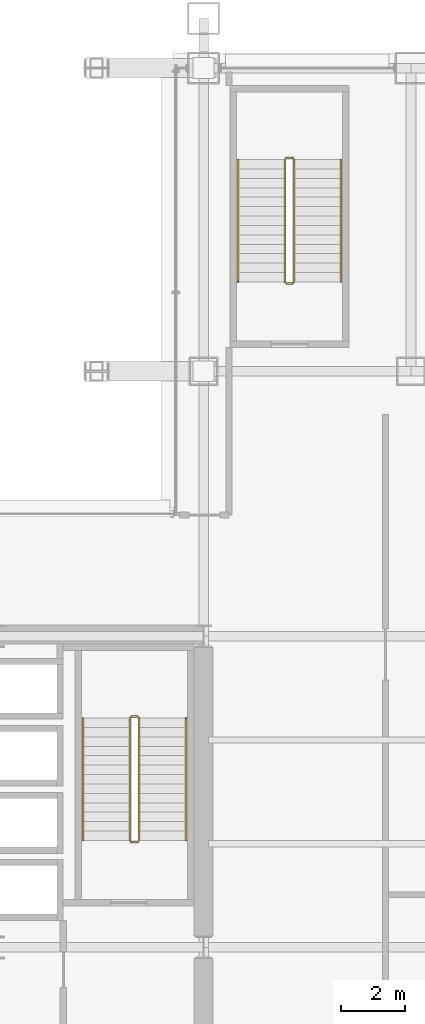
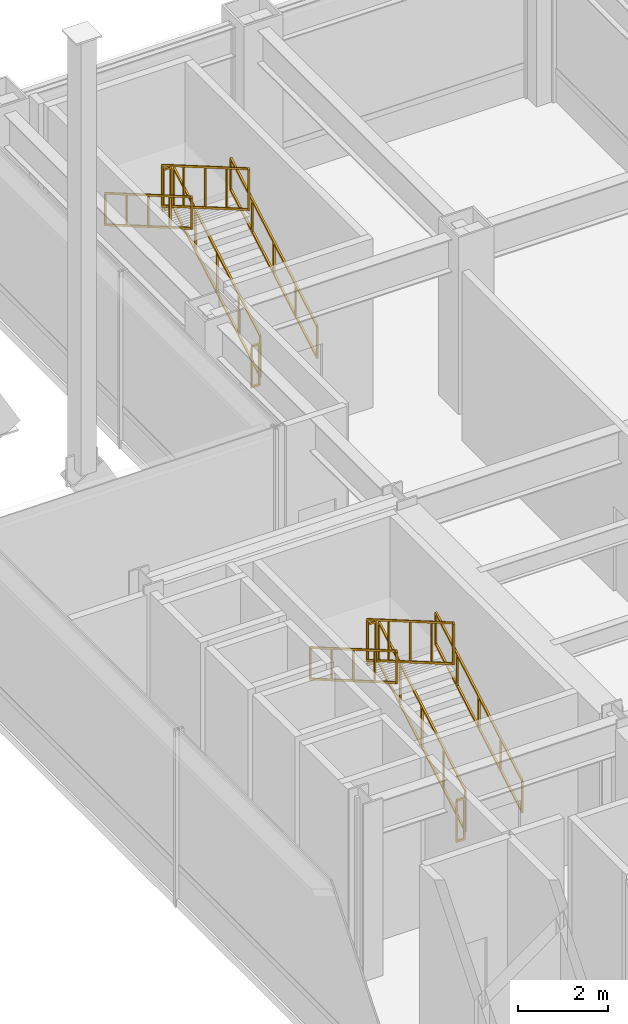
# One storey, part 40 of 40: 12 railings.
"""IFC4 building model written with IfcOpenShell, lengths in metres."""

from ifc_helpers import new_model, si_unit, direction, frame, origin, origin_2d, place, context, subcontext, project, spatial, rectangle, extrude, material, type_object, element, save


model = new_model("IFC4")

# Units and contexts
model_context = context("Model", 3, precision=1e-05, world=origin(), true_north=direction((0.0, 1.0)))
body_context = subcontext(model_context, "Body", "Model", "MODEL_VIEW")
ifc_project = project(units=[si_unit("LENGTHUNIT", "METRE"), si_unit("AREAUNIT", "SQUARE_METRE"), si_unit("VOLUMEUNIT", "CUBIC_METRE"), si_unit("PLANEANGLEUNIT", "RADIAN"), si_unit("MASSUNIT", "GRAM", prefix="KILO")], contexts=[model_context])

# Site, building, storey
site_placement = place(None, origin())
site = spatial("IfcSite", under=ifc_project, at=site_placement, CompositionType="ELEMENT")
building_placement = place(site_placement, origin())
building = spatial("IfcBuilding", under=site, at=building_placement, Name="Brelmoor Portico Tower", CompositionType="ELEMENT")
storey_placement = place(building_placement, frame((0.0, 0.0, 4.800048828125)))
storey = spatial("IfcBuildingStorey", under=building, at=storey_placement, Name="L01", CompositionType="ELEMENT", Elevation=4.800048828125)

# Railings
ifc_material_1 = material(Name="Painted Tubular Steel Q235B", Category="steel")
railing_type_1 = type_object("IfcRailingType", Name="RL-STAIR-GUARD", PredefinedType="GUARDRAIL", material=ifc_material_1)
railing_1_placement = place(storey_placement, frame((12.5400390625, 3.35009765625, 0.17138671875)))
element("IfcRailing", 1, at=railing_1_placement, inside=storey, type_object=railing_type_1, Name="L01 ST-E stair guard 1", PredefinedType="GUARDRAIL", context=body_context, shape_type="SweptSolid", body=[
    extrude(rectangle(XDim=0.048095703125, YDim=0.048095703125, at=origin_2d()), frame((0.0, 0.0, 1.1259765625), z_axis=(0.0, 0.86461618451, 0.502432934314), x_axis=(-1.0, 0.0, 0.0)), (0.0, 0.0, 1.0), 4.435546875),
    extrude(rectangle(XDim=0.048095703125, YDim=0.048095703125, at=origin_2d()), frame((0.0, 0.0, 0.02392578125), z_axis=(0.0, 0.86461618451, 0.502432934314), x_axis=(-1.0, 0.0, 0.0)), (0.0, 0.0, 1.0), 4.435546875),
    extrude(rectangle(XDim=0.0419921875, YDim=0.0419921875, at=origin_2d()), origin(), (0.0, 0.0, 1.0), 1.101806640625),
    extrude(rectangle(XDim=0.0419921875, YDim=0.0419921875, at=origin_2d()), frame((0.0, 0.958740234375, 0.55712890625)), (0.0, 0.0, 1.0), 1.101806640625),
    extrude(rectangle(XDim=0.0419921875, YDim=0.0419921875, at=origin_2d()), frame((0.0, 1.91748046875, 1.1142578125)), (0.0, 0.0, 1.0), 1.101806640625),
    extrude(rectangle(XDim=0.0419921875, YDim=0.0419921875, at=origin_2d()), frame((0.0, 2.876220703125, 1.67138671875)), (0.0, 0.0, 1.0), 1.101806640625),
    extrude(rectangle(XDim=0.0419921875, YDim=0.0419921875, at=origin_2d()), frame((0.0, 3.8349609375, 2.228515625)), (0.0, 0.0, 1.0), 1.101806640625),
])
railing_2_placement = place(storey_placement, frame((12.489990234375, 7.235107421875, 2.39990234375)))
element("IfcRailing", 2, at=railing_2_placement, inside=storey, type_object=railing_type_1, Name="L01 ST-E stair guard 2", PredefinedType="GUARDRAIL", context=body_context, shape_type="SweptSolid", body=[
    extrude(rectangle(XDim=0.048095703125, YDim=0.048095703125, at=origin_2d()), frame((0.0, 0.0, 1.1259765625), z_axis=(-1.0, 0.0, 0.0), x_axis=(0.0, -1.0, 0.0)), (0.0, 0.0, 1.0), 0.199951171875),
    extrude(rectangle(XDim=0.048095703125, YDim=0.048095703125, at=origin_2d()), frame((0.0, 0.0, 0.02392578125), z_axis=(-1.0, 0.0, 0.0), x_axis=(0.0, -1.0, 0.0)), (0.0, 0.0, 1.0), 0.199951171875),
    extrude(rectangle(XDim=0.0419921875, YDim=0.0419921875, at=origin_2d()), origin(), (0.0, 0.0, 1.0), 1.101806640625),
    extrude(rectangle(XDim=0.0419921875, YDim=0.0419921875, at=origin_2d()), frame((-0.199951171875, 0.0, 0.0)), (0.0, 0.0, 1.0), 1.101806640625),
])
railing_3_placement = place(storey_placement, frame((12.239990234375, 7.18505859375, 2.5712890625)))
element("IfcRailing", 3, at=railing_3_placement, inside=storey, type_object=railing_type_1, Name="L01 ST-E stair guard 3", PredefinedType="GUARDRAIL", context=body_context, shape_type="SweptSolid", body=[
    extrude(rectangle(XDim=0.048095703125, YDim=0.048095703125, at=origin_2d()), frame((0.0, 0.0, 1.1259765625), z_axis=(0.0, -0.864592272851, 0.502474080651), x_axis=(1.0, 0.0, 0.0)), (0.0, 0.0, 1.0), 4.435546875),
    extrude(rectangle(XDim=0.048095703125, YDim=0.048095703125, at=origin_2d()), frame((0.0, 0.0, 0.02392578125), z_axis=(0.0, -0.864592272851, 0.502474080651), x_axis=(1.0, 0.0, 0.0)), (0.0, 0.0, 1.0), 4.435546875),
    extrude(rectangle(XDim=0.0419921875, YDim=0.0419921875, at=origin_2d()), origin(), (0.0, 0.0, 1.0), 1.101806640625),
    extrude(rectangle(XDim=0.0419921875, YDim=0.0419921875, at=origin_2d()), frame((0.0, -0.958740234375, 0.55712890625)), (0.0, 0.0, 1.0), 1.101806640625),
    extrude(rectangle(XDim=0.0419921875, YDim=0.0419921875, at=origin_2d()), frame((0.0, -1.91748046875, 1.1142578125)), (0.0, 0.0, 1.0), 1.101806640625),
    extrude(rectangle(XDim=0.0419921875, YDim=0.0419921875, at=origin_2d()), frame((0.0, -2.876220703125, 1.671630859375)), (0.0, 0.0, 1.0), 1.101806640625),
    extrude(rectangle(XDim=0.0419921875, YDim=0.0419921875, at=origin_2d()), frame((0.0, -3.8349609375, 2.228759765625)), (0.0, 0.0, 1.0), 1.101806640625),
])
railing_4_placement = place(storey_placement, frame((12.489990234375, 3.300048828125, 0.0)))
element("IfcRailing", 4, at=railing_4_placement, inside=storey, type_object=railing_type_1, Name="L01 ST-E stair guard 4", PredefinedType="GUARDRAIL", context=body_context, shape_type="SweptSolid", body=[
    extrude(rectangle(XDim=0.048095703125, YDim=0.048095703125, at=origin_2d()), frame((0.0, 0.0, 1.1259765625), z_axis=(-1.0, 0.0, 0.0), x_axis=(0.0, -1.0, 0.0)), (0.0, 0.0, 1.0), 0.199951171875),
    extrude(rectangle(XDim=0.048095703125, YDim=0.048095703125, at=origin_2d()), frame((0.0, 0.0, 0.02392578125), z_axis=(-1.0, 0.0, 0.0), x_axis=(0.0, -1.0, 0.0)), (0.0, 0.0, 1.0), 0.199951171875),
    extrude(rectangle(XDim=0.0419921875, YDim=0.0419921875, at=origin_2d()), origin(), (0.0, 0.0, 1.0), 1.101806640625),
    extrude(rectangle(XDim=0.0419921875, YDim=0.0419921875, at=origin_2d()), frame((-0.199951171875, 0.0, 0.0)), (0.0, 0.0, 1.0), 1.101806640625),
])
railing_5_placement = place(storey_placement, frame((17.389892578125, 20.85009765625, 0.17138671875)))
element("IfcRailing", 5, at=railing_5_placement, inside=storey, type_object=railing_type_1, Name="L01 ST-P2 stair guard 1", PredefinedType="GUARDRAIL", context=body_context, shape_type="SweptSolid", body=[
    extrude(rectangle(XDim=0.048095703125, YDim=0.048095703125, at=origin_2d()), frame((0.0, 0.0, 1.1259765625), z_axis=(0.0, 0.86461618451, 0.502432934314), x_axis=(-1.0, 0.0, 0.0)), (0.0, 0.0, 1.0), 4.435546875),
    extrude(rectangle(XDim=0.048095703125, YDim=0.048095703125, at=origin_2d()), frame((0.0, 0.0, 0.02392578125), z_axis=(0.0, 0.86461618451, 0.502432934314), x_axis=(-1.0, 0.0, 0.0)), (0.0, 0.0, 1.0), 4.435546875),
    extrude(rectangle(XDim=0.0419921875, YDim=0.0419921875, at=origin_2d()), origin(), (0.0, 0.0, 1.0), 1.101806640625),
    extrude(rectangle(XDim=0.0419921875, YDim=0.0419921875, at=origin_2d()), frame((0.0, 0.958740234375, 0.55712890625)), (0.0, 0.0, 1.0), 1.101806640625),
    extrude(rectangle(XDim=0.0419921875, YDim=0.0419921875, at=origin_2d()), frame((0.0, 1.91748046875, 1.1142578125)), (0.0, 0.0, 1.0), 1.101806640625),
    extrude(rectangle(XDim=0.0419921875, YDim=0.0419921875, at=origin_2d()), frame((0.0, 2.876220703125, 1.67138671875)), (0.0, 0.0, 1.0), 1.101806640625),
    extrude(rectangle(XDim=0.0419921875, YDim=0.0419921875, at=origin_2d()), frame((0.0, 3.8349609375, 2.228515625)), (0.0, 0.0, 1.0), 1.101806640625),
])
railing_6_placement = place(storey_placement, frame((17.340087890625, 24.735107421875, 2.39990234375)))
element("IfcRailing", 6, at=railing_6_placement, inside=storey, type_object=railing_type_1, Name="L01 ST-P2 stair guard 2", PredefinedType="GUARDRAIL", context=body_context, shape_type="SweptSolid", body=[
    extrude(rectangle(XDim=0.048095703125, YDim=0.048095703125, at=origin_2d()), frame((0.0, 0.0, 1.1259765625), z_axis=(-1.0, 0.0, 0.0), x_axis=(0.0, -1.0, 0.0)), (0.0, 0.0, 1.0), 0.2001953125),
    extrude(rectangle(XDim=0.048095703125, YDim=0.048095703125, at=origin_2d()), frame((0.0, 0.0, 0.02392578125), z_axis=(-1.0, 0.0, 0.0), x_axis=(0.0, -1.0, 0.0)), (0.0, 0.0, 1.0), 0.2001953125),
    extrude(rectangle(XDim=0.0419921875, YDim=0.0419921875, at=origin_2d()), origin(), (0.0, 0.0, 1.0), 1.101806640625),
    extrude(rectangle(XDim=0.0419921875, YDim=0.0419921875, at=origin_2d()), frame((-0.2001953125, 0.0, 0.0)), (0.0, 0.0, 1.0), 1.101806640625),
])
railing_7_placement = place(storey_placement, frame((17.090087890625, 24.68505859375, 2.5712890625)))
element("IfcRailing", 7, at=railing_7_placement, inside=storey, type_object=railing_type_1, Name="L01 ST-P2 stair guard 3", PredefinedType="GUARDRAIL", context=body_context, shape_type="SweptSolid", body=[
    extrude(rectangle(XDim=0.048095703125, YDim=0.048095703125, at=origin_2d()), frame((0.0, 0.0, 1.1259765625), z_axis=(0.0, -0.864592272851, 0.502474080651), x_axis=(1.0, 0.0, 0.0)), (0.0, 0.0, 1.0), 4.435546875),
    extrude(rectangle(XDim=0.048095703125, YDim=0.048095703125, at=origin_2d()), frame((0.0, 0.0, 0.02392578125), z_axis=(0.0, -0.864592272851, 0.502474080651), x_axis=(1.0, 0.0, 0.0)), (0.0, 0.0, 1.0), 4.435546875),
    extrude(rectangle(XDim=0.0419921875, YDim=0.0419921875, at=origin_2d()), origin(), (0.0, 0.0, 1.0), 1.101806640625),
    extrude(rectangle(XDim=0.0419921875, YDim=0.0419921875, at=origin_2d()), frame((0.0, -0.958740234375, 0.55712890625)), (0.0, 0.0, 1.0), 1.101806640625),
    extrude(rectangle(XDim=0.0419921875, YDim=0.0419921875, at=origin_2d()), frame((0.0, -1.91748046875, 1.1142578125)), (0.0, 0.0, 1.0), 1.101806640625),
    extrude(rectangle(XDim=0.0419921875, YDim=0.0419921875, at=origin_2d()), frame((0.0, -2.876220703125, 1.671630859375)), (0.0, 0.0, 1.0), 1.101806640625),
    extrude(rectangle(XDim=0.0419921875, YDim=0.0419921875, at=origin_2d()), frame((0.0, -3.8349609375, 2.228759765625)), (0.0, 0.0, 1.0), 1.101806640625),
])
railing_8_placement = place(storey_placement, frame((17.340087890625, 20.800048828125, 0.0)))
element("IfcRailing", 8, at=railing_8_placement, inside=storey, type_object=railing_type_1, Name="L01 ST-P2 stair guard 4", PredefinedType="GUARDRAIL", context=body_context, shape_type="SweptSolid", body=[
    extrude(rectangle(XDim=0.048095703125, YDim=0.048095703125, at=origin_2d()), frame((0.0, 0.0, 1.1259765625), z_axis=(-1.0, 0.0, 0.0), x_axis=(0.0, -1.0, 0.0)), (0.0, 0.0, 1.0), 0.2001953125),
    extrude(rectangle(XDim=0.048095703125, YDim=0.048095703125, at=origin_2d()), frame((0.0, 0.0, 0.02392578125), z_axis=(-1.0, 0.0, 0.0), x_axis=(0.0, -1.0, 0.0)), (0.0, 0.0, 1.0), 0.2001953125),
    extrude(rectangle(XDim=0.0419921875, YDim=0.0419921875, at=origin_2d()), origin(), (0.0, 0.0, 1.0), 1.101806640625),
    extrude(rectangle(XDim=0.0419921875, YDim=0.0419921875, at=origin_2d()), frame((-0.2001953125, 0.0, 0.0)), (0.0, 0.0, 1.0), 1.101806640625),
])
ifc_material_2 = material(Name="Brushed Stainless Steel 304", Category="steel")
railing_type_2 = type_object("IfcRailingType", Name="RL-STAIR-HANDRAIL", PredefinedType="HANDRAIL", material=ifc_material_2)
railing_9_placement = place(storey_placement, frame((14.0, 3.35009765625, 0.17138671875)))
element("IfcRailing", 9, at=railing_9_placement, inside=storey, type_object=railing_type_2, Name="L01 ST-E stair handrail 1", PredefinedType="HANDRAIL", context=body_context, shape_type="SweptSolid", body=[
    extrude(rectangle(XDim=0.048095703125, YDim=0.048095703125, at=origin_2d()), frame((0.0, 0.0, 0.8759765625), z_axis=(0.0, 0.86461618451, 0.502432934314), x_axis=(-1.0, 0.0, 0.0)), (0.0, 0.0, 1.0), 4.435546875),
    extrude(rectangle(XDim=0.048095703125, YDim=0.048095703125, at=origin_2d()), frame((0.0, 0.0, 0.02392578125), z_axis=(0.0, 0.86461618451, 0.502432934314), x_axis=(-1.0, 0.0, 0.0)), (0.0, 0.0, 1.0), 4.435546875),
    extrude(rectangle(XDim=0.0419921875, YDim=0.0419921875, at=origin_2d()), origin(), (0.0, 0.0, 1.0), 0.851806640625),
    extrude(rectangle(XDim=0.0419921875, YDim=0.0419921875, at=origin_2d()), frame((0.0, 0.958740234375, 0.55712890625)), (0.0, 0.0, 1.0), 0.851806640625),
    extrude(rectangle(XDim=0.0419921875, YDim=0.0419921875, at=origin_2d()), frame((0.0, 1.91748046875, 1.1142578125)), (0.0, 0.0, 1.0), 0.851806640625),
    extrude(rectangle(XDim=0.0419921875, YDim=0.0419921875, at=origin_2d()), frame((0.0, 2.876220703125, 1.67138671875)), (0.0, 0.0, 1.0), 0.851806640625),
    extrude(rectangle(XDim=0.0419921875, YDim=0.0419921875, at=origin_2d()), frame((0.0, 3.8349609375, 2.228515625)), (0.0, 0.0, 1.0), 0.851806640625),
])
railing_10_placement = place(storey_placement, frame((10.780029296875, 7.18505859375, 2.5712890625)))
element("IfcRailing", 10, at=railing_10_placement, inside=storey, type_object=railing_type_2, Name="L01 ST-E stair handrail 2", PredefinedType="HANDRAIL", context=body_context, shape_type="SweptSolid", body=[
    extrude(rectangle(XDim=0.048095703125, YDim=0.048095703125, at=origin_2d()), frame((0.0, 0.0, 0.8759765625), z_axis=(0.0, -0.864592272851, 0.502474080651), x_axis=(1.0, 0.0, 0.0)), (0.0, 0.0, 1.0), 4.435546875),
    extrude(rectangle(XDim=0.048095703125, YDim=0.048095703125, at=origin_2d()), frame((0.0, 0.0, 0.02392578125), z_axis=(0.0, -0.864592272851, 0.502474080651), x_axis=(1.0, 0.0, 0.0)), (0.0, 0.0, 1.0), 4.435546875),
    extrude(rectangle(XDim=0.0419921875, YDim=0.0419921875, at=origin_2d()), origin(), (0.0, 0.0, 1.0), 0.851806640625),
    extrude(rectangle(XDim=0.0419921875, YDim=0.0419921875, at=origin_2d()), frame((0.0, -0.958740234375, 0.55712890625)), (0.0, 0.0, 1.0), 0.851806640625),
    extrude(rectangle(XDim=0.0419921875, YDim=0.0419921875, at=origin_2d()), frame((0.0, -1.91748046875, 1.1142578125)), (0.0, 0.0, 1.0), 0.851806640625),
    extrude(rectangle(XDim=0.0419921875, YDim=0.0419921875, at=origin_2d()), frame((0.0, -2.876220703125, 1.671630859375)), (0.0, 0.0, 1.0), 0.851806640625),
    extrude(rectangle(XDim=0.0419921875, YDim=0.0419921875, at=origin_2d()), frame((0.0, -3.8349609375, 2.228759765625)), (0.0, 0.0, 1.0), 0.851806640625),
])
railing_11_placement = place(storey_placement, frame((18.85009765625, 20.85009765625, 0.17138671875)))
element("IfcRailing", 11, at=railing_11_placement, inside=storey, type_object=railing_type_2, Name="L01 ST-P2 stair handrail 1", PredefinedType="HANDRAIL", context=body_context, shape_type="SweptSolid", body=[
    extrude(rectangle(XDim=0.048095703125, YDim=0.048095703125, at=origin_2d()), frame((0.0, 0.0, 0.8759765625), z_axis=(0.0, 0.86461618451, 0.502432934314), x_axis=(-1.0, 0.0, 0.0)), (0.0, 0.0, 1.0), 4.435546875),
    extrude(rectangle(XDim=0.048095703125, YDim=0.048095703125, at=origin_2d()), frame((0.0, 0.0, 0.02392578125), z_axis=(0.0, 0.86461618451, 0.502432934314), x_axis=(-1.0, 0.0, 0.0)), (0.0, 0.0, 1.0), 4.435546875),
    extrude(rectangle(XDim=0.0419921875, YDim=0.0419921875, at=origin_2d()), origin(), (0.0, 0.0, 1.0), 0.851806640625),
    extrude(rectangle(XDim=0.0419921875, YDim=0.0419921875, at=origin_2d()), frame((0.0, 0.958740234375, 0.55712890625)), (0.0, 0.0, 1.0), 0.851806640625),
    extrude(rectangle(XDim=0.0419921875, YDim=0.0419921875, at=origin_2d()), frame((0.0, 1.91748046875, 1.1142578125)), (0.0, 0.0, 1.0), 0.851806640625),
    extrude(rectangle(XDim=0.0419921875, YDim=0.0419921875, at=origin_2d()), frame((0.0, 2.876220703125, 1.67138671875)), (0.0, 0.0, 1.0), 0.851806640625),
    extrude(rectangle(XDim=0.0419921875, YDim=0.0419921875, at=origin_2d()), frame((0.0, 3.8349609375, 2.228515625)), (0.0, 0.0, 1.0), 0.851806640625),
])
railing_12_placement = place(storey_placement, frame((15.6298828125, 24.68505859375, 2.5712890625)))
element("IfcRailing", 12, at=railing_12_placement, inside=storey, type_object=railing_type_2, Name="L01 ST-P2 stair handrail 2", PredefinedType="HANDRAIL", context=body_context, shape_type="SweptSolid", body=[
    extrude(rectangle(XDim=0.048095703125, YDim=0.048095703125, at=origin_2d()), frame((0.0, 0.0, 0.8759765625), z_axis=(0.0, -0.864592272851, 0.502474080651), x_axis=(1.0, 0.0, 0.0)), (0.0, 0.0, 1.0), 4.435546875),
    extrude(rectangle(XDim=0.048095703125, YDim=0.048095703125, at=origin_2d()), frame((0.0, 0.0, 0.02392578125), z_axis=(0.0, -0.864592272851, 0.502474080651), x_axis=(1.0, 0.0, 0.0)), (0.0, 0.0, 1.0), 4.435546875),
    extrude(rectangle(XDim=0.0419921875, YDim=0.0419921875, at=origin_2d()), origin(), (0.0, 0.0, 1.0), 0.851806640625),
    extrude(rectangle(XDim=0.0419921875, YDim=0.0419921875, at=origin_2d()), frame((0.0, -0.958740234375, 0.55712890625)), (0.0, 0.0, 1.0), 0.851806640625),
    extrude(rectangle(XDim=0.0419921875, YDim=0.0419921875, at=origin_2d()), frame((0.0, -1.91748046875, 1.1142578125)), (0.0, 0.0, 1.0), 0.851806640625),
    extrude(rectangle(XDim=0.0419921875, YDim=0.0419921875, at=origin_2d()), frame((0.0, -2.876220703125, 1.671630859375)), (0.0, 0.0, 1.0), 0.851806640625),
    extrude(rectangle(XDim=0.0419921875, YDim=0.0419921875, at=origin_2d()), frame((0.0, -3.8349609375, 2.228759765625)), (0.0, 0.0, 1.0), 0.851806640625),
])

save(model, "model.ifc")
